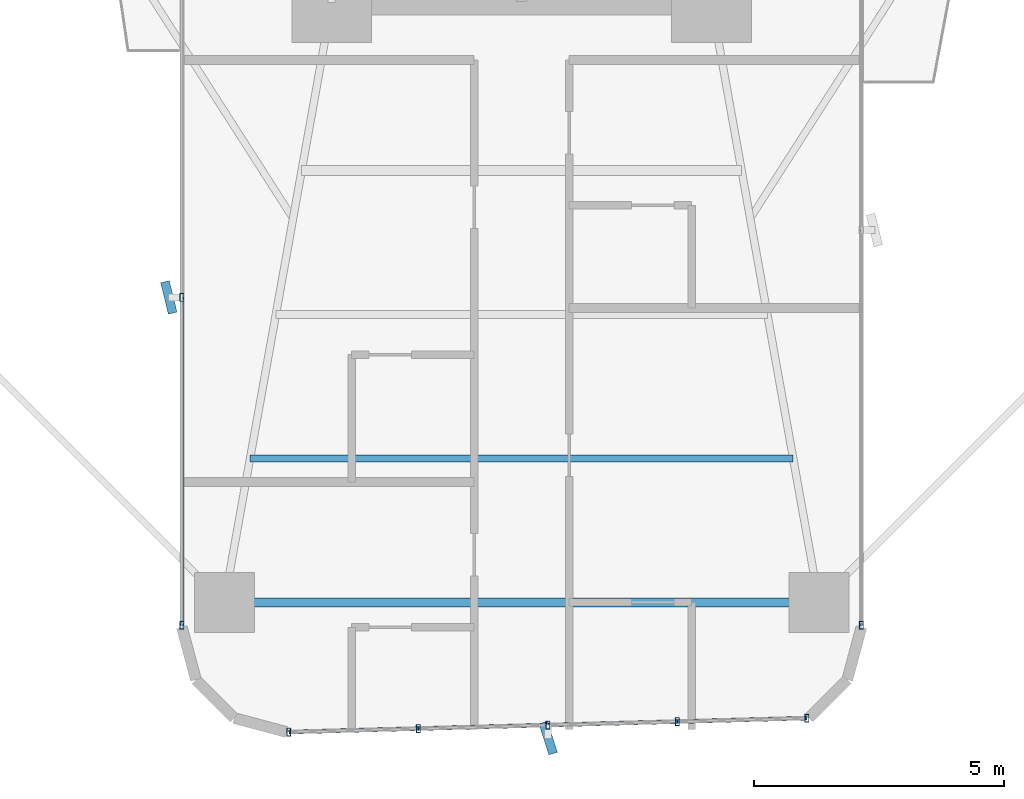
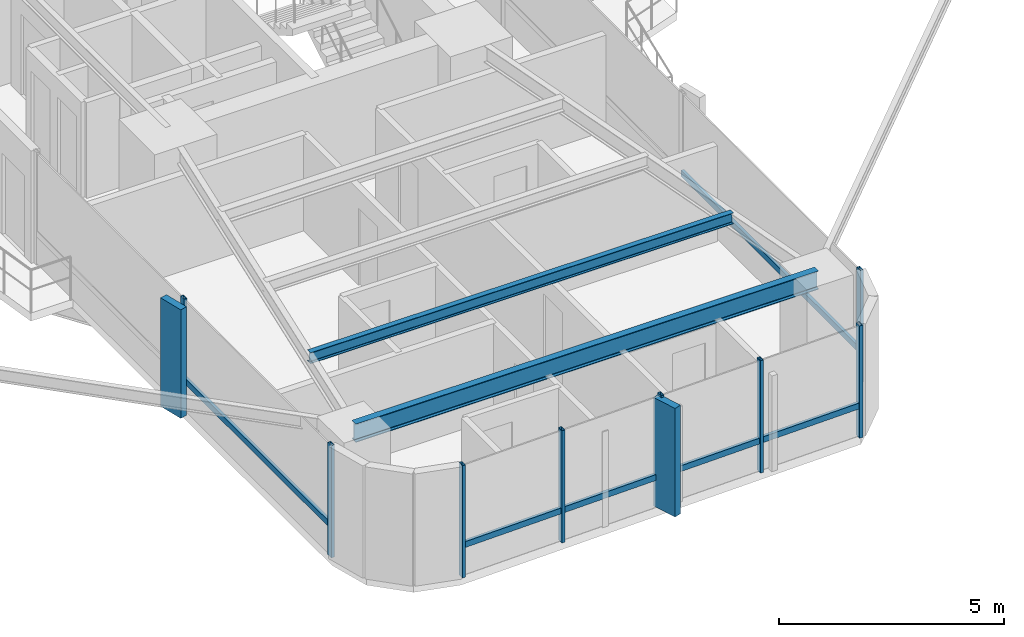
# One storey, part 2 of 26: 16 members, 2 beams, 3 elements without a shape of their own.
"""IFC4 building model written with IfcOpenShell, lengths in metres."""

from ifc_helpers import new_model, si_unit, direction, frame, origin, origin_2d, place, context, subcontext, project, spatial, rectangle, hollow_rectangle, i_section, extrude, source, transform, mapped, material, material_profile, profile_set, type_object, element, aggregate, save


model = new_model("IFC4")

# Units and contexts
model_context = context("Model", 3, precision=1e-05, world=origin(), true_north=direction((0.0, 1.0)))
body_context = subcontext(model_context, "Body", "Model", "MODEL_VIEW")
ifc_project = project(units=[si_unit("LENGTHUNIT", "METRE"), si_unit("AREAUNIT", "SQUARE_METRE"), si_unit("VOLUMEUNIT", "CUBIC_METRE"), si_unit("PLANEANGLEUNIT", "RADIAN"), si_unit("MASSUNIT", "GRAM", prefix="KILO")], contexts=[model_context])

# Site, building, storey
site_placement = place(None, origin())
site = spatial("IfcSite", under=ifc_project, at=site_placement, CompositionType="ELEMENT")
building_placement = place(site_placement, origin())
building = spatial("IfcBuilding", under=site, at=building_placement, Name="Sahyath Konkavel Grand Hotel", CompositionType="ELEMENT")
storey_placement = place(building_placement, frame((0.0, 0.0, 43.199951171875)))
storey = spatial("IfcBuildingStorey", under=building, at=storey_placement, Name="L11", CompositionType="ELEMENT", Elevation=43.199951171875)

# Beams
ifc_material_1 = material(Name="Steel E350", Category="steel")
ifc_material_profile_1 = material_profile(ifc_material_1, i_section(OverallWidth=0.179931640625, OverallDepth=0.5, WebThickness=0.01025390625, FlangeThickness=0.01708984375, FilletRadius=0.01708984375, at=origin_2d()), Name="ISMB 500")
ifc_profile_set_1 = profile_set([ifc_material_profile_1], Name="Steel E350")
beam_type_1 = type_object("IfcBeamType", Name="BM-ISMB500", PredefinedType="BEAM", material=ifc_profile_set_1)
shared_shape_1 = source(origin(), body_context, "Body", "SweptSolid", [
    extrude(i_section(OverallWidth=0.179931640625, OverallDepth=0.5, WebThickness=0.01025390625, FlangeThickness=0.01708984375, FilletRadius=0.01708984375, at=origin_2d()), origin(), (0.0, 0.0, 1.0), 11.89990234375),
])
beam_1_placement = place(storey_placement, frame((-5.949951171875, -22.199951171875, 2.800048828125), z_axis=(1.0, 0.0, 0.0), x_axis=(0.0, 1.0, 0.0)))
element("IfcBeam", 1, at=beam_1_placement, inside=storey, type_object=beam_type_1, Name="L11 Wing Tip Edge Beam S", PredefinedType="BEAM", context=body_context, shape_type="MappedRepresentation", body=[
    mapped(shared_shape_1, transform((0.0, 0.0, 0.0), scale=1.0)),
])
ifc_material_profile_2 = material_profile(ifc_material_1, i_section(OverallWidth=0.139892578125, OverallDepth=0.300048828125, WebThickness=0.0078125, FlangeThickness=0.01318359375, FilletRadius=0.013916015625, at=origin_2d()), Name="ISMB 300")
ifc_profile_set_2 = profile_set([ifc_material_profile_2], Name="Steel E350")
beam_type_2 = type_object("IfcBeamType", Name="BM-ISMB300", PredefinedType="BEAM", material=ifc_profile_set_2)
shared_shape_2 = source(origin(), body_context, "Body", "SweptSolid", [
    extrude(i_section(OverallWidth=0.139892578125, OverallDepth=0.300048828125, WebThickness=0.0078125, FlangeThickness=0.01318359375, FilletRadius=0.013916015625, at=origin_2d()), origin(), (0.0, 0.0, 1.0), 10.8681640625),
])
beam_2_placement = place(storey_placement, frame((-5.43408203125, -19.320068359375, 2.900146484375), z_axis=(1.0, 0.0, 0.0), x_axis=(0.0, 1.0, 0.0)))
element("IfcBeam", 2, at=beam_2_placement, inside=storey, type_object=beam_type_2, Name="L11 Secondary Floor Beam S-3", PredefinedType="BEAM", context=body_context, shape_type="MappedRepresentation", body=[
    mapped(shared_shape_2, transform((0.0, 0.0, 0.0), scale=1.0)),
])

# Curtain wall, member
ifc_material_2 = material(Name="Anodised Bronze Aluminium & Low-E Glazing", Category="aluminium")
curtain_wall_type = type_object("IfcCurtainWallType", Name="CW-ZONE1", PredefinedType="NOTDEFINED", material=ifc_material_2)
curtain_wall_1_placement = place(storey_placement, origin())
curtain_wall_1 = element("IfcCurtainWall", 3, at=curtain_wall_1_placement, inside=storey, type_object=curtain_wall_type, Name="L11 Unitised Curtain Wall F31", PredefinedType="NOTDEFINED")
ifc_material_3 = material(Name="Anodised Bronze Aluminium", Category="aluminium")
ifc_material_profile_3 = material_profile(ifc_material_3, hollow_rectangle(XDim=0.080078125, YDim=0.159912109375, WallThickness=0.006103515625, at=origin_2d()), Name="RHS 160x80x6")
ifc_profile_set_3 = profile_set([ifc_material_profile_3], Name="Anodised Bronze Aluminium")
member_type_1 = type_object("IfcMemberType", Name="CW-TRN-160", PredefinedType="USERDEFINED", material=ifc_profile_set_3)
shared_shape_3 = source(origin(), body_context, "Body", "SweptSolid", [
    extrude(hollow_rectangle(XDim=0.080078125, YDim=0.159912109375, WallThickness=0.006103515625, at=origin_2d()), origin(), (0.0, 0.0, 1.0), 7.909912109375),
])
member_1_placement = place(storey_placement, frame((6.800048828125, -22.659912109375, 0.85009765625), z_axis=(0.0, 1.0, 0.0), x_axis=(-1.0, 0.0, 0.0)))
member_1 = element("IfcMember", 4, at=member_1_placement, type_object=member_type_1, Name="L11 Curtain Wall Transom F31-0-spandrel", ObjectType="TRANSOM", PredefinedType="USERDEFINED", context=body_context, shape_type="MappedRepresentation", body=[
    mapped(shared_shape_3, transform((0.0, 0.0, 0.0), scale=1.0)),
])

# Curtain wall, members
curtain_wall_2_placement = place(storey_placement, origin())
curtain_wall_2 = element("IfcCurtainWall", 5, at=curtain_wall_2_placement, inside=storey, type_object=curtain_wall_type, Name="L11 Unitised Curtain Wall F28", PredefinedType="NOTDEFINED")
shared_shape_4 = source(origin(), body_context, "Body", "SweptSolid", [
    extrude(hollow_rectangle(XDim=0.080078125, YDim=0.159912109375, WallThickness=0.006103515625, at=origin_2d()), origin(), (0.0, 0.0, 1.0), 2.593505859375),
])
member_2_placement = place(storey_placement, frame((-4.659912109375, -24.798828125, 0.85009765625), z_axis=(0.999637507825, 0.026923093252, 0.0), x_axis=(-0.026923093252, 0.999637507825, 0.0)))
member_2 = element("IfcMember", 6, at=member_2_placement, type_object=member_type_1, Name="L11 Curtain Wall Transom F28-0-spandrel", ObjectType="TRANSOM", PredefinedType="USERDEFINED", context=body_context, shape_type="MappedRepresentation", body=[
    mapped(shared_shape_4, transform((0.0, 0.0, 0.0), scale=1.0)),
])
member_3_placement = place(storey_placement, frame((0.52490234375, -24.6591796875, 0.85009765625), z_axis=(0.999640036937, 0.02682902444, 0.0), x_axis=(-0.02682902444, 0.999640036937, 0.0)))
member_3 = element("IfcMember", 7, at=member_3_placement, type_object=member_type_1, Name="L11 Curtain Wall Transom F28-2-spandrel", ObjectType="TRANSOM", PredefinedType="USERDEFINED", context=body_context, shape_type="MappedRepresentation", body=[
    mapped(shared_shape_4, transform((0.0, 0.0, 0.0), scale=1.0)),
])
member_4_placement = place(storey_placement, frame((3.117431640625, -24.589599609375, 0.85009765625), z_axis=(0.999637507825, 0.026923093252, 0.0), x_axis=(-0.026923093252, 0.999637507825, 0.0)))
member_4 = element("IfcMember", 8, at=member_4_placement, type_object=member_type_1, Name="L11 Curtain Wall Transom F28-3-spandrel", ObjectType="TRANSOM", PredefinedType="USERDEFINED", context=body_context, shape_type="MappedRepresentation", body=[
    mapped(shared_shape_4, transform((0.0, 0.0, 0.0), scale=1.0)),
])
shared_shape_5 = source(origin(), body_context, "Body", "SweptSolid", [
    extrude(hollow_rectangle(XDim=0.080078125, YDim=0.159912109375, WallThickness=0.006103515625, at=origin_2d()), origin(), (0.0, 0.0, 1.0), 2.59326171875),
])
member_5_placement = place(storey_placement, frame((-2.0673828125, -24.72900390625, 0.85009765625), z_axis=(0.99963743958, 0.026925627022, 0.0), x_axis=(-0.026925627022, 0.99963743958, 0.0)))
member_5 = element("IfcMember", 9, at=member_5_placement, type_object=member_type_1, Name="L11 Curtain Wall Transom F28-1-spandrel", ObjectType="TRANSOM", PredefinedType="USERDEFINED", context=body_context, shape_type="MappedRepresentation", body=[
    mapped(shared_shape_5, transform((0.0, 0.0, 0.0), scale=1.0)),
])

curtain_wall_3_placement = place(storey_placement, origin())
curtain_wall_3 = element("IfcCurtainWall", 10, at=curtain_wall_3_placement, inside=storey, type_object=curtain_wall_type, Name="L11 Unitised Curtain Wall F24", PredefinedType="NOTDEFINED")
shared_shape_6 = source(origin(), body_context, "Body", "SweptSolid", [
    extrude(hollow_rectangle(XDim=0.080078125, YDim=0.159912109375, WallThickness=0.006103515625, at=origin_2d()), origin(), (0.0, 0.0, 1.0), 6.559814453125),
])
member_6_placement = place(storey_placement, frame((-6.800048828125, -16.10009765625, 0.85009765625), z_axis=(0.0, -1.0, 0.0), x_axis=(1.0, 0.0, 0.0)))
member_6 = element("IfcMember", 11, at=member_6_placement, type_object=member_type_1, Name="L11 Curtain Wall Transom F24-1-spandrel", ObjectType="TRANSOM", PredefinedType="USERDEFINED", context=body_context, shape_type="MappedRepresentation", body=[
    mapped(shared_shape_6, transform((0.0, 0.0, 0.0), scale=1.0)),
])
ifc_material_profile_4 = material_profile(ifc_material_3, hollow_rectangle(XDim=0.080078125, YDim=0.159912109375, WallThickness=0.006103515625, at=origin_2d()), Name="RHS 160x80x6")
ifc_profile_set_4 = profile_set([ifc_material_profile_4], Name="Anodised Bronze Aluminium")
member_type_2 = type_object("IfcMemberType", Name="CW-MUL-160", PredefinedType="MULLION", material=ifc_profile_set_4)
shared_shape_7 = source(origin(), body_context, "Body", "SweptSolid", [
    extrude(hollow_rectangle(XDim=0.080078125, YDim=0.159912109375, WallThickness=0.006103515625, at=origin_2d()), origin(), (0.0, 0.0, 1.0), 3.050048828125),
])
member_7_placement = place(storey_placement, frame((-6.800048828125, -16.10009765625, 0.0), z_axis=(0.0, 0.0, 1.0), x_axis=(1.0, 0.0, 0.0)))
member_7 = element("IfcMember", 12, at=member_7_placement, type_object=member_type_2, Name="L11 Curtain Wall Mullion F24-1", PredefinedType="MULLION", context=body_context, shape_type="MappedRepresentation", body=[
    mapped(shared_shape_7, transform((0.0, 0.0, 0.0), scale=1.0)),
])
member_8_placement = place(storey_placement, frame((-6.800048828125, -22.659912109375, 0.0), z_axis=(0.0, 0.0, 1.0), x_axis=(1.0, 0.0, 0.0)))
member_8 = element("IfcMember", 13, at=member_8_placement, type_object=member_type_2, Name="L11 Curtain Wall Mullion F24-2", PredefinedType="MULLION", context=body_context, shape_type="MappedRepresentation", body=[
    mapped(shared_shape_7, transform((0.0, 0.0, 0.0), scale=1.0)),
])

# Member
member_9_placement = place(storey_placement, frame((-4.659912109375, -24.798828125, 0.0), z_axis=(0.0, 0.0, 1.0), x_axis=(1.0, 0.0, 0.0)))
member_9 = element("IfcMember", 14, at=member_9_placement, type_object=member_type_2, Name="L11 Curtain Wall Mullion F28-0", PredefinedType="MULLION", context=body_context, shape_type="MappedRepresentation", body=[
    mapped(shared_shape_7, transform((0.0, 0.0, 0.0), scale=1.0)),
])

member_10_placement = place(storey_placement, frame((-2.0673828125, -24.72900390625, 0.0), z_axis=(0.0, 0.0, 1.0), x_axis=(1.0, 0.0, 0.0)))
member_10 = element("IfcMember", 15, at=member_10_placement, type_object=member_type_2, Name="L11 Curtain Wall Mullion F28-1", PredefinedType="MULLION", context=body_context, shape_type="MappedRepresentation", body=[
    mapped(shared_shape_7, transform((0.0, 0.0, 0.0), scale=1.0)),
])

member_11_placement = place(storey_placement, frame((0.52490234375, -24.6591796875, 0.0), z_axis=(0.0, 0.0, 1.0), x_axis=(1.0, 0.0, 0.0)))
member_11 = element("IfcMember", 16, at=member_11_placement, type_object=member_type_2, Name="L11 Curtain Wall Mullion F28-2", PredefinedType="MULLION", context=body_context, shape_type="MappedRepresentation", body=[
    mapped(shared_shape_7, transform((0.0, 0.0, 0.0), scale=1.0)),
])

member_12_placement = place(storey_placement, frame((3.117431640625, -24.589599609375, 0.0), z_axis=(0.0, 0.0, 1.0), x_axis=(1.0, 0.0, 0.0)))
member_12 = element("IfcMember", 17, at=member_12_placement, type_object=member_type_2, Name="L11 Curtain Wall Mullion F28-3", PredefinedType="MULLION", context=body_context, shape_type="MappedRepresentation", body=[
    mapped(shared_shape_7, transform((0.0, 0.0, 0.0), scale=1.0)),
])

member_13_placement = place(storey_placement, frame((5.7099609375, -24.519775390625, 0.0), z_axis=(0.0, 0.0, 1.0), x_axis=(1.0, 0.0, 0.0)))
member_13 = element("IfcMember", 18, at=member_13_placement, type_object=member_type_2, Name="L11 Curtain Wall Mullion F28-4", PredefinedType="MULLION", context=body_context, shape_type="MappedRepresentation", body=[
    mapped(shared_shape_7, transform((0.0, 0.0, 0.0), scale=1.0)),
])

member_14_placement = place(storey_placement, frame((6.800048828125, -22.659912109375, 0.0), z_axis=(0.0, 0.0, 1.0), x_axis=(1.0, 0.0, 0.0)))
member_14 = element("IfcMember", 19, at=member_14_placement, type_object=member_type_2, Name="L11 Curtain Wall Mullion F31-0", PredefinedType="MULLION", context=body_context, shape_type="MappedRepresentation", body=[
    mapped(shared_shape_7, transform((0.0, 0.0, 0.0), scale=1.0)),
])

aggregate(curtain_wall_1, [member_14, member_1])

ifc_material_4 = material(Name="Warm Buff Sandstone Cladding on Concrete C50/60", Category="masonry")
ifc_material_profile_5 = material_profile(ifc_material_4, rectangle(XDim=0.179931640625, YDim=0.64990234375, at=origin_2d()), Name="FIN 180x650")
ifc_profile_set_5 = profile_set([ifc_material_profile_5], Name="Warm Buff Sandstone Cladding on Concrete C50/60")
member_type_3 = type_object("IfcMemberType", Name="FIN-SANDSTONE-650", PredefinedType="MULLION", material=ifc_profile_set_5)
shared_shape_8 = source(origin(), body_context, "Body", "SweptSolid", [
    extrude(rectangle(XDim=0.179931640625, YDim=0.64990234375, at=origin_2d()), origin(), (0.0, 0.0, 1.0), 2.949951171875),
])
member_15_placement = place(storey_placement, frame((-7.06005859375, -16.10009765625, 0.050048828125), z_axis=(0.0, 0.0, 1.0), x_axis=(0.970842131618, 0.239719743609, 0.0)))
member_15 = element("IfcMember", 20, at=member_15_placement, type_object=member_type_3, Name="L11 Sandstone Vertical Solar Fin FIN F24-1", PredefinedType="MULLION", context=body_context, shape_type="MappedRepresentation", body=[
    mapped(shared_shape_8, transform((0.0, 0.0, 0.0), scale=1.0)),
])

aggregate(curtain_wall_3, [member_7, member_15, member_8, member_6])

member_16_placement = place(storey_placement, frame((0.531982421875, -24.919189453125, 0.050048828125), z_axis=(0.0, 0.0, 1.0), x_axis=(0.951487058208, 0.307688768178, 0.0)))
member_16 = element("IfcMember", 21, at=member_16_placement, type_object=member_type_3, Name="L11 Sandstone Vertical Solar Fin FIN F28-2", PredefinedType="MULLION", context=body_context, shape_type="MappedRepresentation", body=[
    mapped(shared_shape_8, transform((0.0, 0.0, 0.0), scale=1.0)),
])

aggregate(curtain_wall_2, [member_9, member_10, member_11, member_16, member_12, member_13, member_2, member_5, member_3, member_4])

save(model, "model.ifc")
